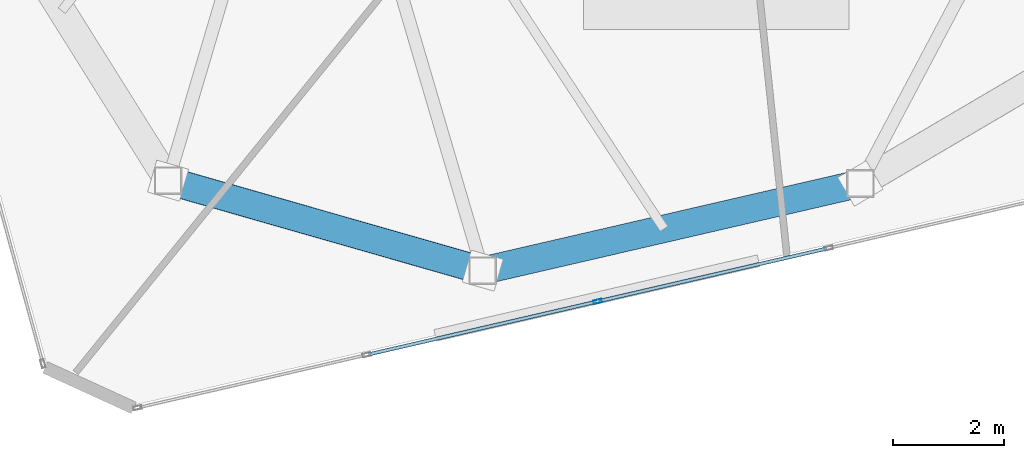
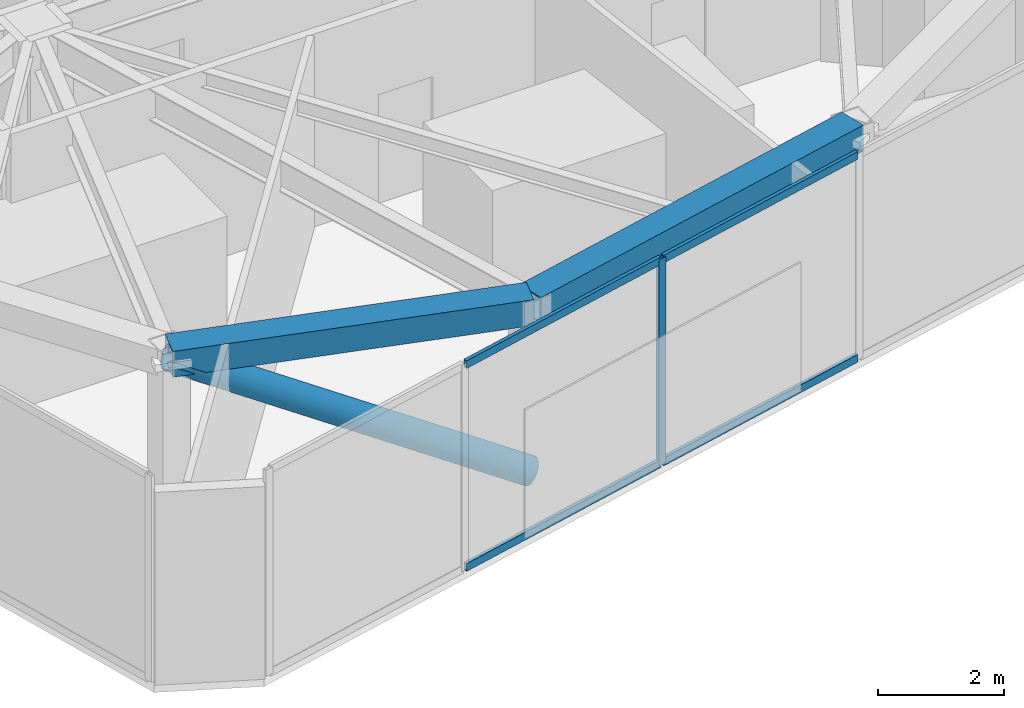
# One storey, part 3 of 21: 6 members, 2 beams, 1 element without a shape of its own.
"""IFC4 building model written with IfcOpenShell, lengths in metres."""

import ifcopenshell
import ifcopenshell.guid

model = None  # the IFC model being written
_history = None  # IfcOwnerHistory: only IFC2X3 demands one
_inside = {}  # id of a spatial element -> (the spatial element, [elements in it])
_under = {}  # id of a project, library or spatial element -> (it, [spatial elements below it])
_declared = {}  # id of a project -> (the project, [libraries it declares])
_typed = {}  # id of a type object -> (the type object, [elements of that type])
_made_of = {}  # id of a material, layer set ... -> (it, [elements and type objects made of it])


def new_model(schema):
    """Start an empty IFC model of exactly this schema.

    Asked for "IFC4X3", IfcOpenShell would pick the latest addendum, in which some entities
    have other attributes; the version numbers below select the first issue.
    IFC2X3 requires an IfcOwnerHistory on every rooted entity: one is made here for all.
    """
    global model, _history
    if schema == "IFC4X3":
        model = ifcopenshell.file(schema_version=(4, 3, 0, 0))
    else:
        model = ifcopenshell.file(schema=schema)
    _inside.clear()
    _under.clear()
    _declared.clear()
    _typed.clear()
    _made_of.clear()
    _history = None
    if model.schema == "IFC2X3":
        org = make("IfcOrganization", Name="unknown")
        user = make(
            "IfcPersonAndOrganization",
            ThePerson=make("IfcPerson", FamilyName="unknown"),
            TheOrganization=org,
        )
        app = make(
            "IfcApplication",
            ApplicationDeveloper=org,
            Version="unknown",
            ApplicationFullName="unknown",
            ApplicationIdentifier="unknown",
        )
        _history = make(
            "IfcOwnerHistory",
            OwningUser=user,
            OwningApplication=app,
            ChangeAction="ADDED",
            CreationDate=0,
        )
    return model


def make(cls, **values):
    """One entity of the class cls with the attributes given. An attribute that is None is left unset."""
    return model.create_entity(
        cls, **{name: value for name, value in values.items() if value is not None}
    )


def rooted(cls, **values):
    """An entity with a GlobalId (a new one), such as an element, a storey or a relation."""
    return make(cls, GlobalId=ifcopenshell.guid.new(), OwnerHistory=_history, **values)


def si_unit(unit_type, name, prefix=None):
    """IfcSIUnit, for example si_unit("LENGTHUNIT", "METRE", prefix="MILLI")."""
    return make("IfcSIUnit", UnitType=unit_type, Prefix=prefix, Name=name)


def assignment(units):
    """IfcUnitAssignment: the units of a project."""
    return None if units is None else make("IfcUnitAssignment", Units=units)


def point(xyz):
    """IfcCartesianPoint."""
    return None if xyz is None else make("IfcCartesianPoint", Coordinates=xyz)


def direction(xyz):
    """IfcDirection."""
    return None if xyz is None else make("IfcDirection", DirectionRatios=xyz)


def frame(location, z_axis=None, x_axis=None):
    """IfcAxis2Placement3D, a coordinate frame: its origin and axes. An axis left out is left unset."""
    return make(
        "IfcAxis2Placement3D",
        Location=point(location),
        Axis=direction(z_axis),
        RefDirection=direction(x_axis),
    )


def frame_2d(location, x_axis=None):
    """IfcAxis2Placement2D, a coordinate frame in the plane: its origin and x axis."""
    return make(
        "IfcAxis2Placement2D", Location=point(location), RefDirection=direction(x_axis)
    )


def origin():
    """The frame at (0, 0, 0) with its axes left unset."""
    return frame((0.0, 0.0, 0.0))


def origin_2d():
    """The frame at (0, 0) in the plane with its x axis left unset."""
    return frame_2d((0.0, 0.0))


def place(relative_to, where):
    """IfcLocalPlacement: puts the frame where relative to a parent placement (None: the world)."""
    return make(
        "IfcLocalPlacement", PlacementRelTo=relative_to, RelativePlacement=where
    )


def context(
    kind, dimensions, precision=None, world=None, true_north=None, identifier=None
):
    """IfcGeometricRepresentationContext, for example the 3D "Model" context."""
    return make(
        "IfcGeometricRepresentationContext",
        ContextIdentifier=identifier,
        ContextType=kind,
        CoordinateSpaceDimension=dimensions,
        Precision=precision,
        WorldCoordinateSystem=world,
        TrueNorth=true_north,
    )


def subcontext(parent, identifier, kind, view, scale=None):
    """IfcGeometricRepresentationSubContext, for example "Body" below "Model"."""
    return make(
        "IfcGeometricRepresentationSubContext",
        ContextIdentifier=identifier,
        ContextType=kind,
        ParentContext=parent,
        TargetScale=scale,
        TargetView=view,
    )


def project(units=None, contexts=None):
    """IfcProject with its units and contexts."""
    return rooted(
        "IfcProject",
        Name="project",
        RepresentationContexts=contexts,
        UnitsInContext=assignment(units),
    )


def spatial(cls, under=None, at=None, **own):
    """A site, building, storey or space (cls), placed at a placement, below another one or the project."""
    s = rooted(cls, ObjectPlacement=at, **own)
    if under is not None:
        _under.setdefault(under.id(), (under, []))[1].append(s)
    return s


def profile(cls, at=None, kind="AREA", **sizes):
    """A parametric profile (cls). Its sizes go by their IFC names, for example OverallWidth=200.0."""
    return make(cls, ProfileType=kind, Position=at, **sizes)


def hollow_rectangle(**sizes):
    """IfcRectangleHollowProfileDef."""
    return profile("IfcRectangleHollowProfileDef", **sizes)


def hollow_circle(**sizes):
    """IfcCircleHollowProfileDef."""
    return profile("IfcCircleHollowProfileDef", **sizes)


def extrude(swept, where, along, depth):
    """IfcExtrudedAreaSolid: the profile swept, set in the frame where, extruded along a direction by depth."""
    return make(
        "IfcExtrudedAreaSolid",
        SweptArea=swept,
        Position=where,
        ExtrudedDirection=direction(along),
        Depth=depth,
    )


def shape(context_of_items, identifier, shape_type, items):
    """IfcShapeRepresentation: the items that make up one representation, for example the "Body"."""
    return make(
        "IfcShapeRepresentation",
        ContextOfItems=context_of_items,
        RepresentationIdentifier=identifier,
        RepresentationType=shape_type,
        Items=items,
    )


def source(mapping_origin, context_of_items, identifier, shape_type, items):
    """IfcRepresentationMap: a shape defined once, which mapped items show again and again."""
    return make(
        "IfcRepresentationMap",
        MappingOrigin=mapping_origin,
        MappedRepresentation=shape(context_of_items, identifier, shape_type, items),
    )


def transform(
    local_origin,
    x_axis=None,
    y_axis=None,
    z_axis=None,
    scale=None,
    scale2=None,
    scale3=None,
    uniform=True,
):
    """IfcCartesianTransformationOperator3D, or its non-uniform kind. x_axis, y_axis, z_axis: its Axis1, 2, 3."""
    if uniform:
        return make(
            "IfcCartesianTransformationOperator3D",
            Axis1=direction(x_axis),
            Axis2=direction(y_axis),
            LocalOrigin=point(local_origin),
            Scale=scale,
            Axis3=direction(z_axis),
        )
    return make(
        "IfcCartesianTransformationOperator3DnonUniform",
        Axis1=direction(x_axis),
        Axis2=direction(y_axis),
        LocalOrigin=point(local_origin),
        Scale=scale,
        Axis3=direction(z_axis),
        Scale2=scale2,
        Scale3=scale3,
    )


def mapped(mapping_source, mapping_target):
    """IfcMappedItem: shows the shape of a source again, moved by a transform."""
    return make(
        "IfcMappedItem", MappingSource=mapping_source, MappingTarget=mapping_target
    )


def material(Name=None, Category=None):
    """IfcMaterial."""
    return make("IfcMaterial", Name=Name, Category=Category)


def layer(
    of_material, thickness, ventilated=None, Name=None, Category=None, Priority=None
):
    """IfcMaterialLayer: one layer of a wall or slab, of a material (None: an air gap)."""
    return make(
        "IfcMaterialLayer",
        Material=of_material,
        LayerThickness=thickness,
        IsVentilated=ventilated,
        Name=Name,
        Category=Category,
        Priority=Priority,
    )


def layer_set(layers, Name=None):
    """IfcMaterialLayerSet."""
    return make("IfcMaterialLayerSet", MaterialLayers=layers, LayerSetName=Name)


def material_profile(
    of_material, cross_section, Name=None, Category=None, Priority=None
):
    """IfcMaterialProfile: a cross section and its material."""
    return make(
        "IfcMaterialProfile",
        Name=Name,
        Material=of_material,
        Profile=cross_section,
        Priority=Priority,
        Category=Category,
    )


def profile_set(profiles, Name=None, composite=None):
    """IfcMaterialProfileSet."""
    return make(
        "IfcMaterialProfileSet",
        Name=Name,
        MaterialProfiles=profiles,
        CompositeProfile=composite,
    )


def made_of(thing, what):
    """Note that an element or type object is made of a material, layer set ...; save() writes the relation."""
    if what is not None:
        _made_of.setdefault(what.id(), (what, []))[1].append(thing)
    return thing


def type_object(cls, material=None, **own):
    """A type object (cls), such as IfcWallType, which elements share."""
    return made_of(rooted(cls, **own), material)


def type_shapes(of_type, sources):
    """Give a type object the sources (RepresentationMaps) that its elements show as mapped items."""
    of_type.RepresentationMaps = sources


def element(
    cls,
    number,
    at=None,
    inside=None,
    cuts=None,
    type_object=None,
    material=None,
    context=None,
    identifier="Body",
    shape_type=None,
    held_by="IfcProductDefinitionShape",
    body=None,
    shapes=None,
    **own,
):
    """One element of the class cls, such as IfcWall. Its Tag is "e" and its number.

    at: its placement. inside: the storey or other place that contains it. cuts: it is an
    opening in that element (IfcRelVoidsElement). A single representation is given by context,
    identifier, shape_type and body (its items); several are given by shapes. held_by: the class
    of the entity that holds the representations. save() writes the other relations.
    """
    e = rooted(cls, Tag="e%d" % number, ObjectPlacement=at, **own)
    if body is not None:
        shapes = [shape(context, identifier, shape_type, body)]
    if shapes is not None:
        e.Representation = make(held_by, Representations=shapes)
    if inside is not None:
        _inside.setdefault(inside.id(), (inside, []))[1].append(e)
    if cuts is not None:
        rooted(
            "IfcRelVoidsElement", RelatingBuildingElement=cuts, RelatedOpeningElement=e
        )
    if type_object is not None:
        _typed.setdefault(type_object.id(), (type_object, []))[1].append(e)
    return made_of(e, material)


def aggregate(whole, parts):
    """IfcRelAggregates: a whole, such as a stair, and the parts it consists of."""
    return rooted("IfcRelAggregates", RelatingObject=whole, RelatedObjects=parts)


def save(model, path):
    """Write the relations noted so far, then the file.

    IfcRelAggregates (storeys below a building ...), IfcRelContainedInSpatialStructure (elements
    in a storey), IfcRelDefinesByType, IfcRelAssociatesMaterial and IfcRelDeclares: one each for
    every whole, place, type object, material and project.
    """
    for whole, parts in _under.values():
        aggregate(whole, parts)
    for where, things in _inside.values():
        rooted(
            "IfcRelContainedInSpatialStructure",
            RelatedElements=things,
            RelatingStructure=where,
        )
    for kind, things in _typed.values():
        rooted("IfcRelDefinesByType", RelatedObjects=things, RelatingType=kind)
    for what, things in _made_of.values():
        rooted("IfcRelAssociatesMaterial", RelatedObjects=things, RelatingMaterial=what)
    for by, libraries in _declared.values():
        rooted("IfcRelDeclares", RelatingContext=by, RelatedDefinitions=libraries)
    model.write(path)


model = new_model("IFC4")

# Units and contexts
model_context = context("Model", 3, precision=1e-05, world=origin(), true_north=direction((0.0, 1.0)))
body_context = subcontext(model_context, "Body", "Model", "MODEL_VIEW")
ifc_project = project(units=[si_unit("LENGTHUNIT", "METRE"), si_unit("AREAUNIT", "SQUARE_METRE"), si_unit("VOLUMEUNIT", "CUBIC_METRE"), si_unit("PLANEANGLEUNIT", "RADIAN"), si_unit("MASSUNIT", "GRAM", prefix="KILO")], contexts=[model_context])

# Site, building, storey
site_placement = place(None, origin())
site = spatial("IfcSite", under=ifc_project, at=site_placement, CompositionType="ELEMENT")
building_placement = place(site_placement, origin())
building = spatial("IfcBuilding", under=site, at=building_placement, Name="Talar Marvaseh", CompositionType="ELEMENT")
storey_placement = place(building_placement, frame((0.0, 0.0, 304.0)))
storey = spatial("IfcBuildingStorey", under=building, at=storey_placement, Name="L81", CompositionType="ELEMENT", Elevation=304.0)

# Beams
ifc_material_1 = material(Name="Steel S460", Category="steel")
ifc_material_profile_1 = material_profile(ifc_material_1, hollow_rectangle(XDim=0.5, YDim=0.5, WallThickness=0.02490234375, at=origin_2d()), Name="BOX500x500x25")
ifc_profile_set_1 = profile_set([ifc_material_profile_1], Name="Steel S460")
beam_type = type_object("IfcBeamType", Name="Crown Frame Top Ring Beam BOX500x500x25", PredefinedType="BEAM", material=ifc_profile_set_1)
beam_1_placement = place(storey_placement, frame((28.60498046875, 16.616943359375, 3.489990234375), z_axis=(-0.974361245946, -0.22498924952, 0.0), x_axis=(0.22498924952, -0.974361245946, 0.0)))
element("IfcBeam", 1, at=beam_1_placement, inside=storey, type_object=beam_type, Name="L81 Crown Frame Top Ring Beam BOX500x500x25", PredefinedType="BEAM", context=body_context, shape_type="SweptSolid", body=[
    extrude(hollow_rectangle(XDim=0.5, YDim=0.5, WallThickness=0.02490234375, at=origin_2d()), origin(), (0.0, 0.0, 1.0), 7.0087890625),
])
beam_2_placement = place(storey_placement, frame((21.77587890625, 15.0400390625, 3.489990234375), z_axis=(-0.961411768303, 0.275113452538, 0.0), x_axis=(-0.275113452538, -0.961411768303, 0.0)))
element("IfcBeam", 2, at=beam_2_placement, inside=storey, type_object=beam_type, Name="L81 Crown Frame Top Ring Beam BOX500x500x25", PredefinedType="BEAM", context=body_context, shape_type="SweptSolid", body=[
    extrude(hollow_rectangle(XDim=0.5, YDim=0.5, WallThickness=0.02490234375, at=origin_2d()), origin(), (0.0, 0.0, 1.0), 5.917236328125),
])

# Member
ifc_material_profile_2 = material_profile(ifc_material_1, hollow_circle(Radius=0.25390625, WallThickness=0.02001953125, at=origin_2d()), Name="CHS508x20")
ifc_profile_set_2 = profile_set([ifc_material_profile_2], Name="Steel S460")
member_type_1 = type_object("IfcMemberType", Name="Crown Frame Diagonal Brace CHS508x20", PredefinedType="BRACE", material=ifc_profile_set_2)
shared_shape_1 = source(origin(), body_context, "Body", "SweptSolid", [
    extrude(hollow_circle(Radius=0.25390625, WallThickness=0.02001953125, at=origin_2d()), origin(), (0.0, 0.0, 1.0), 6.746337890625),
])
type_shapes(member_type_1, [shared_shape_1])
member_1_placement = place(storey_placement, frame((21.77587890625, 15.0400390625, 0.25), z_axis=(-0.843276948152, 0.241308500999, 0.480264714571), x_axis=(-0.275113452538, -0.961411768303, 0.0)))
element("IfcMember", 3, at=member_1_placement, inside=storey, type_object=member_type_1, Name="L81 Crown Frame Diagonal Brace 11", PredefinedType="BRACE", context=body_context, shape_type="MappedRepresentation", body=[
    mapped(shared_shape_1, transform((0.0, 0.0, 0.0), x_axis=(1.0, 0.0, 0.0), y_axis=(0.0, 1.0, 0.0), z_axis=(0.0, 0.0, 1.0), scale=1.0)),
])

# Curtain wall, members
ifc_material_2 = material(Name="Architectural Aluminium", Category="aluminium")
ifc_layer = layer(ifc_material_2, 0.2099609375)
ifc_layer_set = layer_set([ifc_layer], Name="Architectural Aluminium")
curtain_wall_type = type_object("IfcCurtainWallType", Name="Crown Plant Acoustic Spandrel Curtain Wall", PredefinedType="NOTDEFINED", material=ifc_layer_set)
curtain_wall_placement = place(storey_placement, origin())
curtain_wall = element("IfcCurtainWall", 4, at=curtain_wall_placement, inside=storey, type_object=curtain_wall_type, Name="L81 Crown Plant Acoustic Spandrel Curtain Wall", PredefinedType="NOTDEFINED")
ifc_material_profile_3 = material_profile(ifc_material_2, hollow_rectangle(XDim=0.06494140625, YDim=0.14990234375, WallThickness=0.00390625, at=origin_2d()), Name="RHS150x65x4")
ifc_profile_set_3 = profile_set([ifc_material_profile_3], Name="Architectural Aluminium")
member_type_2 = type_object("IfcMemberType", Name="Unitised Curtain Wall Slim Transom RHS150x65x4", PredefinedType="USERDEFINED", material=ifc_profile_set_3)
shared_shape_2 = source(origin(), body_context, "Body", "SweptSolid", [
    extrude(hollow_rectangle(XDim=0.06494140625, YDim=0.14990234375, WallThickness=0.00390625, at=origin_2d()), origin(), (0.0, 0.0, 1.0), 4.22119140625),
])
type_shapes(member_type_2, [shared_shape_2])
member_2_placement = place(storey_placement, frame((28.000244140625, 15.44091796875, 0.032470703125), z_axis=(-0.974334626875, -0.225104497673, 0.0), x_axis=(0.225104497673, -0.974334626875, 0.0)))
member_2 = element("IfcMember", 5, at=member_2_placement, type_object=member_type_2, Name="CW-CRN transom 2.1", ObjectType="TRANSOM", PredefinedType="USERDEFINED", context=body_context, shape_type="MappedRepresentation", body=[
    mapped(shared_shape_2, transform((0.0, 0.0, 0.0), x_axis=(1.0, 0.0, 0.0), y_axis=(0.0, 1.0, 0.0), z_axis=(0.0, 0.0, 1.0), scale=1.0)),
])
member_3_placement = place(storey_placement, frame((28.000244140625, 15.44091796875, 3.967529296875), z_axis=(-0.974334626875, -0.225104497673, 0.0), x_axis=(0.225104497673, -0.974334626875, 0.0)))
member_3 = element("IfcMember", 6, at=member_3_placement, type_object=member_type_2, Name="CW-CRN transom 2.2", ObjectType="TRANSOM", PredefinedType="USERDEFINED", context=body_context, shape_type="MappedRepresentation", body=[
    mapped(shared_shape_2, transform((0.0, 0.0, 0.0), x_axis=(1.0, 0.0, 0.0), y_axis=(0.0, 1.0, 0.0), z_axis=(0.0, 0.0, 1.0), scale=1.0)),
])
member_4_placement = place(storey_placement, frame((23.823974609375, 14.47607421875, 0.032470703125), z_axis=(-0.974334626875, -0.225104497673, 0.0), x_axis=(0.225104497673, -0.974334626875, 0.0)))
member_4 = element("IfcMember", 7, at=member_4_placement, type_object=member_type_2, Name="CW-CRN transom 3.1", ObjectType="TRANSOM", PredefinedType="USERDEFINED", context=body_context, shape_type="MappedRepresentation", body=[
    mapped(shared_shape_2, transform((0.0, 0.0, 0.0), x_axis=(1.0, 0.0, 0.0), y_axis=(0.0, 1.0, 0.0), z_axis=(0.0, 0.0, 1.0), scale=1.0)),
])
member_5_placement = place(storey_placement, frame((23.823974609375, 14.47607421875, 3.967529296875), z_axis=(-0.974334626875, -0.225104497673, 0.0), x_axis=(0.225104497673, -0.974334626875, 0.0)))
member_5 = element("IfcMember", 8, at=member_5_placement, type_object=member_type_2, Name="CW-CRN transom 3.2", ObjectType="TRANSOM", PredefinedType="USERDEFINED", context=body_context, shape_type="MappedRepresentation", body=[
    mapped(shared_shape_2, transform((0.0, 0.0, 0.0), x_axis=(1.0, 0.0, 0.0), y_axis=(0.0, 1.0, 0.0), z_axis=(0.0, 0.0, 1.0), scale=1.0)),
])
ifc_material_profile_4 = material_profile(ifc_material_2, hollow_rectangle(XDim=0.06494140625, YDim=0.14990234375, WallThickness=0.00390625, at=origin_2d()), Name="RHS150x65x4")
ifc_profile_set_4 = profile_set([ifc_material_profile_4], Name="Architectural Aluminium")
member_type_3 = type_object("IfcMemberType", Name="Unitised Curtain Wall Slim Mullion RHS150x65x4", PredefinedType="MULLION", material=ifc_profile_set_4)
shared_shape_3 = source(origin(), body_context, "Body", "SweptSolid", [
    extrude(hollow_rectangle(XDim=0.06494140625, YDim=0.14990234375, WallThickness=0.00390625, at=origin_2d()), origin(), (0.0, 0.0, 1.0), 4.0),
])
type_shapes(member_type_3, [shared_shape_3])
member_6_placement = place(storey_placement, frame((23.855712890625, 14.4833984375, 0.0), z_axis=(0.0, 0.0, 1.0), x_axis=(0.225103157943, -0.974334936397, 0.0)))
member_6 = element("IfcMember", 9, at=member_6_placement, type_object=member_type_3, Name="CW-CRN mullion 3", PredefinedType="MULLION", context=body_context, shape_type="MappedRepresentation", body=[
    mapped(shared_shape_3, transform((0.0, 0.0, 0.0), x_axis=(1.0, 0.0, 0.0), y_axis=(0.0, 1.0, 0.0), z_axis=(0.0, 0.0, 1.0), scale=1.0)),
])
aggregate(curtain_wall, [member_6, member_2, member_3, member_4, member_5])

save(model, "model.ifc")
